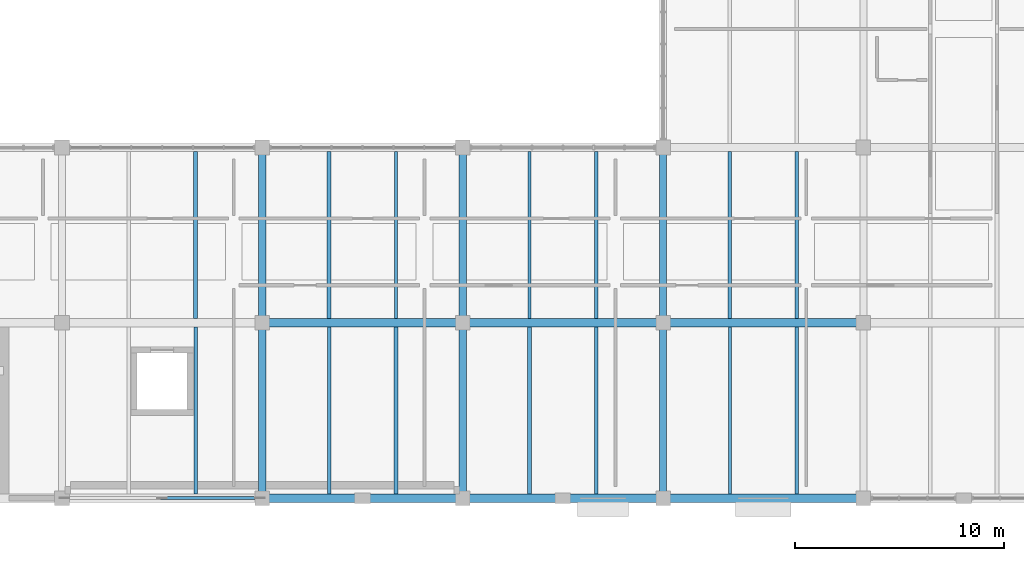
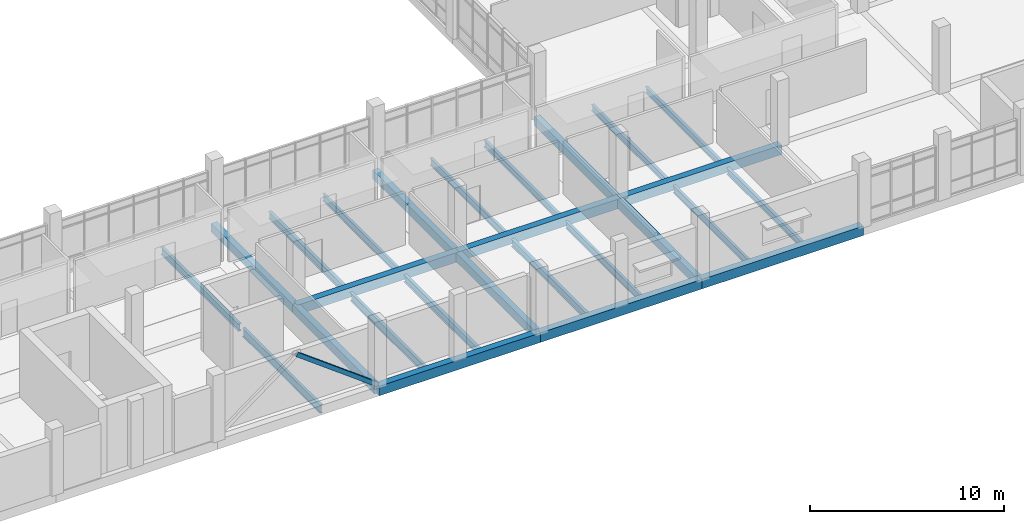
# One storey, part 8 of 57: 26 beams, 1 member.
"""IFC4 building model written with IfcOpenShell, lengths in metres."""

from ifc_helpers import new_model, si_unit, direction, frame, origin, origin_2d, place, context, subcontext, project, spatial, rectangle, hollow_rectangle, i_section, extrude, material, material_profile, profile_set, type_object, element, save


model = new_model("IFC4")

# Units and contexts
model_context = context("Model", 3, precision=1e-05, world=origin(), true_north=direction((0.0, 1.0)))
body_context = subcontext(model_context, "Body", "Model", "MODEL_VIEW")
ifc_project = project(units=[si_unit("LENGTHUNIT", "METRE"), si_unit("AREAUNIT", "SQUARE_METRE"), si_unit("VOLUMEUNIT", "CUBIC_METRE"), si_unit("PLANEANGLEUNIT", "RADIAN"), si_unit("MASSUNIT", "GRAM", prefix="KILO")], contexts=[model_context])

# Site, building, storey
site_placement = place(None, origin())
site = spatial("IfcSite", under=ifc_project, at=site_placement, CompositionType="ELEMENT")
building_placement = place(site_placement, origin())
building = spatial("IfcBuilding", under=site, at=building_placement, Name="Oolite Switchyard Hospital", CompositionType="ELEMENT")
storey_placement = place(building_placement, frame((0.0, 0.0, 17.800048828125)))
storey = spatial("IfcBuildingStorey", under=building, at=storey_placement, Name="L04", CompositionType="ELEMENT", Elevation=17.800048828125)

# Beams
ifc_material_1 = material(Name="Concrete C40/50", Category="concrete")
ifc_material_profile_1 = material_profile(ifc_material_1, rectangle(XDim=0.35009765625, YDim=0.550048828125, at=origin_2d()), Name="RCB350X550")
ifc_profile_set_1 = profile_set([ifc_material_profile_1], Name="Concrete C40/50")
beam_type_1 = type_object("IfcBeamType", Name="BM-RC350X550", PredefinedType="BEAM", material=ifc_profile_set_1)
beam_1_placement = place(storey_placement, frame((163.199951171875, 8.39990234375, -0.275146484375), z_axis=(0.0, 1.0, 0.0), x_axis=(-1.0, 0.0, 0.0)))
element("IfcBeam", 1, at=beam_1_placement, inside=storey, type_object=beam_type_1, Name="L04 Y-Girder 3017", PredefinedType="BEAM", context=body_context, shape_type="SweptSolid", body=[
    extrude(rectangle(XDim=0.35009765625, YDim=0.550048828125, at=origin_2d()), origin(), (0.0, 0.0, 1.0), 8.400146484375),
])
beam_2_placement = place(storey_placement, frame((163.199951171875, 16.800048828125, -0.275146484375), z_axis=(0.0, 1.0, 0.0), x_axis=(-1.0, 0.0, 0.0)))
element("IfcBeam", 2, at=beam_2_placement, inside=storey, type_object=beam_type_1, Name="L04 Y-Girder 3018", PredefinedType="BEAM", context=body_context, shape_type="SweptSolid", body=[
    extrude(rectangle(XDim=0.35009765625, YDim=0.550048828125, at=origin_2d()), origin(), (0.0, 0.0, 1.0), 8.39990234375),
])
beam_3_placement = place(storey_placement, frame((172.800048828125, 8.39990234375, -0.275146484375), z_axis=(0.0, 1.0, 0.0), x_axis=(-1.0, 0.0, 0.0)))
element("IfcBeam", 3, at=beam_3_placement, inside=storey, type_object=beam_type_1, Name="L04 Y-Girder 3028", PredefinedType="BEAM", context=body_context, shape_type="SweptSolid", body=[
    extrude(rectangle(XDim=0.35009765625, YDim=0.550048828125, at=origin_2d()), origin(), (0.0, 0.0, 1.0), 8.400146484375),
])
beam_4_placement = place(storey_placement, frame((172.800048828125, 16.800048828125, -0.275146484375), z_axis=(0.0, 1.0, 0.0), x_axis=(-1.0, 0.0, 0.0)))
element("IfcBeam", 4, at=beam_4_placement, inside=storey, type_object=beam_type_1, Name="L04 Y-Girder 3029", PredefinedType="BEAM", context=body_context, shape_type="SweptSolid", body=[
    extrude(rectangle(XDim=0.35009765625, YDim=0.550048828125, at=origin_2d()), origin(), (0.0, 0.0, 1.0), 8.39990234375),
])
beam_5_placement = place(storey_placement, frame((182.39990234375, 8.39990234375, -0.275146484375), z_axis=(0.0, 1.0, 0.0), x_axis=(-1.0, 0.0, 0.0)))
element("IfcBeam", 5, at=beam_5_placement, inside=storey, type_object=beam_type_1, Name="L04 Y-Girder 3039", PredefinedType="BEAM", context=body_context, shape_type="SweptSolid", body=[
    extrude(rectangle(XDim=0.35009765625, YDim=0.550048828125, at=origin_2d()), origin(), (0.0, 0.0, 1.0), 8.400146484375),
])
beam_6_placement = place(storey_placement, frame((182.39990234375, 16.800048828125, -0.275146484375), z_axis=(0.0, 1.0, 0.0), x_axis=(-1.0, 0.0, 0.0)))
element("IfcBeam", 6, at=beam_6_placement, inside=storey, type_object=beam_type_1, Name="L04 Y-Girder 3040", PredefinedType="BEAM", context=body_context, shape_type="SweptSolid", body=[
    extrude(rectangle(XDim=0.35009765625, YDim=0.550048828125, at=origin_2d()), origin(), (0.0, 0.0, 1.0), 8.39990234375),
])
ifc_material_profile_2 = material_profile(ifc_material_1, rectangle(XDim=0.39990234375, YDim=0.60009765625, at=origin_2d()), Name="RCB400X600")
ifc_profile_set_2 = profile_set([ifc_material_profile_2], Name="Concrete C40/50")
beam_type_2 = type_object("IfcBeamType", Name="BM-RC400X600", PredefinedType="BEAM", material=ifc_profile_set_2)
beam_7_placement = place(storey_placement, frame((163.199951171875, 8.39990234375, -0.300048828125), z_axis=(1.0, 0.0, 0.0), x_axis=(0.0, 1.0, 0.0)))
element("IfcBeam", 7, at=beam_7_placement, inside=storey, type_object=beam_type_2, Name="L04 X-Girder 2759", PredefinedType="BEAM", context=body_context, shape_type="SweptSolid", body=[
    extrude(rectangle(XDim=0.39990234375, YDim=0.60009765625, at=origin_2d()), origin(), (0.0, 0.0, 1.0), 9.60009765625),
])
beam_8_placement = place(storey_placement, frame((172.800048828125, 8.39990234375, -0.300048828125), z_axis=(1.0, 0.0, 0.0), x_axis=(0.0, 1.0, 0.0)))
element("IfcBeam", 8, at=beam_8_placement, inside=storey, type_object=beam_type_2, Name="L04 X-Girder 2760", PredefinedType="BEAM", context=body_context, shape_type="SweptSolid", body=[
    extrude(rectangle(XDim=0.39990234375, YDim=0.60009765625, at=origin_2d()), origin(), (0.0, 0.0, 1.0), 9.599853515625),
])
for number, where, z_axis, x_axis, name in (
    (9, (182.39990234375, 8.39990234375, -0.300048828125), (1.0, 0.0, 0.0), (0.0, 1.0, 0.0), "L04 X-Girder 2761"),
    (10, (163.199951171875, 16.800048828125, -0.300048828125), (1.0, 0.0, 0.0), (0.0, 1.0, 0.0), "L04 X-Girder 2766"),
):
    element("IfcBeam", number, at=place(storey_placement, frame(where, z_axis=z_axis, x_axis=x_axis)), inside=storey, type_object=beam_type_2, Name=name, PredefinedType="BEAM", context=body_context, shape_type="SweptSolid", body=[
        extrude(rectangle(XDim=0.39990234375, YDim=0.60009765625, at=origin_2d()), origin(), (0.0, 0.0, 1.0), 9.60009765625),
    ])
beam_9_placement = place(storey_placement, frame((172.800048828125, 16.800048828125, -0.300048828125), z_axis=(1.0, 0.0, 0.0), x_axis=(0.0, 1.0, 0.0)))
element("IfcBeam", 11, at=beam_9_placement, inside=storey, type_object=beam_type_2, Name="L04 X-Girder 2767", PredefinedType="BEAM", context=body_context, shape_type="SweptSolid", body=[
    extrude(rectangle(XDim=0.39990234375, YDim=0.60009765625, at=origin_2d()), origin(), (0.0, 0.0, 1.0), 9.599853515625),
])
beam_10_placement = place(storey_placement, frame((182.39990234375, 16.800048828125, -0.300048828125), z_axis=(1.0, 0.0, 0.0), x_axis=(0.0, 1.0, 0.0)))
element("IfcBeam", 12, at=beam_10_placement, inside=storey, type_object=beam_type_2, Name="L04 X-Girder 2768", PredefinedType="BEAM", context=body_context, shape_type="SweptSolid", body=[
    extrude(rectangle(XDim=0.39990234375, YDim=0.60009765625, at=origin_2d()), origin(), (0.0, 0.0, 1.0), 9.60009765625),
])
ifc_material_2 = material(Name="Steel ASTM A992 Grade 50", Category="steel")
ifc_material_profile_3 = material_profile(ifc_material_2, i_section(OverallWidth=0.177978515625, OverallDepth=0.403076171875, WebThickness=0.008056640625, FlangeThickness=0.010986328125, at=origin_2d()), Name="W16X36")
ifc_profile_set_3 = profile_set([ifc_material_profile_3], Name="Steel ASTM A992 Grade 50")
beam_type_3 = type_object("IfcBeamType", Name="BM-W16X36", PredefinedType="JOIST", material=ifc_profile_set_3)
beam_11_placement = place(storey_placement, frame((188.800048828125, 17.0, -0.47607421875), z_axis=(0.0, 1.0, 0.0), x_axis=(-1.0, 0.0, 0.0)))
element("IfcBeam", 13, at=beam_11_placement, inside=storey, type_object=beam_type_3, Name="L04 Secondary Steel Joist 3272", PredefinedType="JOIST", context=body_context, shape_type="SweptSolid", body=[
    extrude(i_section(OverallWidth=0.177978515625, OverallDepth=0.403076171875, WebThickness=0.008056640625, FlangeThickness=0.010986328125, at=origin_2d()), origin(), (0.0, 0.0, 1.0), 8.0),
])
ifc_material_profile_4 = material_profile(ifc_material_2, i_section(OverallWidth=0.179931640625, OverallDepth=0.4130859375, WebThickness=0.010009765625, FlangeThickness=0.01611328125, at=origin_2d()), Name="W16X50")
ifc_profile_set_4 = profile_set([ifc_material_profile_4], Name="Steel ASTM A992 Grade 50")
beam_type_4 = type_object("IfcBeamType", Name="BM-W16X50", PredefinedType="JOIST", material=ifc_profile_set_4)
for number, where, z_axis, x_axis, name in (
    (14, (179.199951171875, 17.0, -0.48095703125), (0.0, 1.0, 0.0), (-1.0, 0.0, 0.0), "L04 Secondary Steel Joist 3258"),
    (15, (188.800048828125, 8.60009765625, -0.48095703125), (0.0, 1.0, 0.0), (-1.0, 0.0, 0.0), "L04 Secondary Steel Joist 3270"),
    (16, (185.60009765625, 17.0, -0.48095703125), (0.0, 1.0, 0.0), (-1.0, 0.0, 0.0), "L04 Secondary Steel Joist 3271"),
):
    element("IfcBeam", number, at=place(storey_placement, frame(where, z_axis=z_axis, x_axis=x_axis)), inside=storey, type_object=beam_type_4, Name=name, PredefinedType="JOIST", context=body_context, shape_type="SweptSolid", body=[
        extrude(i_section(OverallWidth=0.179931640625, OverallDepth=0.4130859375, WebThickness=0.010009765625, FlangeThickness=0.01611328125, at=origin_2d()), origin(), (0.0, 0.0, 1.0), 8.0),
    ])
ifc_material_profile_5 = material_profile(ifc_material_2, i_section(OverallWidth=0.153076171875, OverallDepth=0.455078125, WebThickness=0.008056640625, FlangeThickness=0.012939453125, at=origin_2d()), Name="W18X40")
ifc_profile_set_5 = profile_set([ifc_material_profile_5], Name="Steel ASTM A992 Grade 50")
beam_type_5 = type_object("IfcBeamType", Name="BM-W18X40", PredefinedType="JOIST", material=ifc_profile_set_5)
for number, where, z_axis, x_axis, name in (
    (17, (169.60009765625, 17.0, -0.501953125), (0.0, 1.0, 0.0), (-1.0, 0.0, 0.0), "L04 Secondary Steel Joist 3238"),
    (18, (179.199951171875, 8.60009765625, -0.501953125), (0.0, 1.0, 0.0), (-1.0, 0.0, 0.0), "L04 Secondary Steel Joist 3256"),
    (19, (176.0, 17.0, -0.501953125), (0.0, 1.0, 0.0), (-1.0, 0.0, 0.0), "L04 Secondary Steel Joist 3257"),
    (20, (185.60009765625, 8.60009765625, -0.501953125), (0.0, 1.0, 0.0), (-1.0, 0.0, 0.0), "L04 Secondary Steel Joist 3269"),
):
    element("IfcBeam", number, at=place(storey_placement, frame(where, z_axis=z_axis, x_axis=x_axis)), inside=storey, type_object=beam_type_5, Name=name, PredefinedType="JOIST", context=body_context, shape_type="SweptSolid", body=[
        extrude(i_section(OverallWidth=0.153076171875, OverallDepth=0.455078125, WebThickness=0.008056640625, FlangeThickness=0.012939453125, at=origin_2d()), origin(), (0.0, 0.0, 1.0), 8.0),
    ])
ifc_material_profile_6 = material_profile(ifc_material_2, i_section(OverallWidth=0.19091796875, OverallDepth=0.4599609375, WebThickness=0.010009765625, FlangeThickness=0.01611328125, at=origin_2d()), Name="W18X55")
ifc_profile_set_6 = profile_set([ifc_material_profile_6], Name="Steel ASTM A992 Grade 50")
beam_type_6 = type_object("IfcBeamType", Name="BM-W18X55", PredefinedType="JOIST", material=ifc_profile_set_6)
for number, where, z_axis, x_axis, name in (
    (21, (160.0, 17.0, -0.505126953125), (0.0, 1.0, 0.0), (-1.0, 0.0, 0.0), "L04 Secondary Steel Joist 3218"),
    (22, (169.60009765625, 8.60009765625, -0.505126953125), (0.0, 1.0, 0.0), (-1.0, 0.0, 0.0), "L04 Secondary Steel Joist 3236"),
    (23, (166.39990234375, 17.0, -0.505126953125), (0.0, 1.0, 0.0), (-1.0, 0.0, 0.0), "L04 Secondary Steel Joist 3237"),
    (24, (176.0, 8.60009765625, -0.505126953125), (0.0, 1.0, 0.0), (-1.0, 0.0, 0.0), "L04 Secondary Steel Joist 3255"),
):
    element("IfcBeam", number, at=place(storey_placement, frame(where, z_axis=z_axis, x_axis=x_axis)), inside=storey, type_object=beam_type_6, Name=name, PredefinedType="JOIST", context=body_context, shape_type="SweptSolid", body=[
        extrude(i_section(OverallWidth=0.19091796875, OverallDepth=0.4599609375, WebThickness=0.010009765625, FlangeThickness=0.01611328125, at=origin_2d()), origin(), (0.0, 0.0, 1.0), 8.0),
    ])
ifc_material_profile_7 = material_profile(ifc_material_2, i_section(OverallWidth=0.166015625, OverallDepth=0.529052734375, WebThickness=0.010009765625, FlangeThickness=0.013916015625, at=origin_2d()), Name="W21X50")
ifc_profile_set_7 = profile_set([ifc_material_profile_7], Name="Steel ASTM A992 Grade 50")
beam_type_7 = type_object("IfcBeamType", Name="BM-W21X50", PredefinedType="JOIST", material=ifc_profile_set_7)
for number, where, z_axis, x_axis, name in (
    (25, (160.0, 8.60009765625, -0.5400390625), (0.0, 1.0, 0.0), (-1.0, 0.0, 0.0), "L04 Secondary Steel Joist 3216"),
    (26, (166.39990234375, 8.60009765625, -0.5400390625), (0.0, 1.0, 0.0), (-1.0, 0.0, 0.0), "L04 Secondary Steel Joist 3235"),
):
    element("IfcBeam", number, at=place(storey_placement, frame(where, z_axis=z_axis, x_axis=x_axis)), inside=storey, type_object=beam_type_7, Name=name, PredefinedType="JOIST", context=body_context, shape_type="SweptSolid", body=[
        extrude(i_section(OverallWidth=0.166015625, OverallDepth=0.529052734375, WebThickness=0.010009765625, FlangeThickness=0.013916015625, at=origin_2d()), origin(), (0.0, 0.0, 1.0), 8.0),
    ])

# Member
ifc_material_3 = material(Name="Steel ASTM A500 Grade C", Category="steel")
ifc_material_profile_8 = material_profile(ifc_material_3, hollow_rectangle(XDim=0.152099609375, YDim=0.25390625, WallThickness=0.012939453125, at=origin_2d()), Name="HSS254X152X13")
ifc_profile_set_8 = profile_set([ifc_material_profile_8], Name="Steel ASTM A500 Grade C")
member_type = type_object("IfcMemberType", Name="MEM-BR-RHS254", PredefinedType="BRACE", material=ifc_profile_set_8)
member_placement = place(storey_placement, frame((163.199951171875, 8.39990234375, 0.02001953125), z_axis=(-0.80161654625, 0.0, 0.597838534035), x_axis=(0.0, -1.0, 0.0)))
element("IfcMember", 27, at=member_placement, inside=storey, type_object=member_type, Name="L04 Chevron Brace 70", PredefinedType="BRACE", context=body_context, shape_type="SweptSolid", body=[
    extrude(hollow_rectangle(XDim=0.152099609375, YDim=0.25390625, WallThickness=0.012939453125, at=origin_2d()), origin(), (0.0, 0.0, 1.0), 5.988037109375),
])

save(model, "model.ifc")
